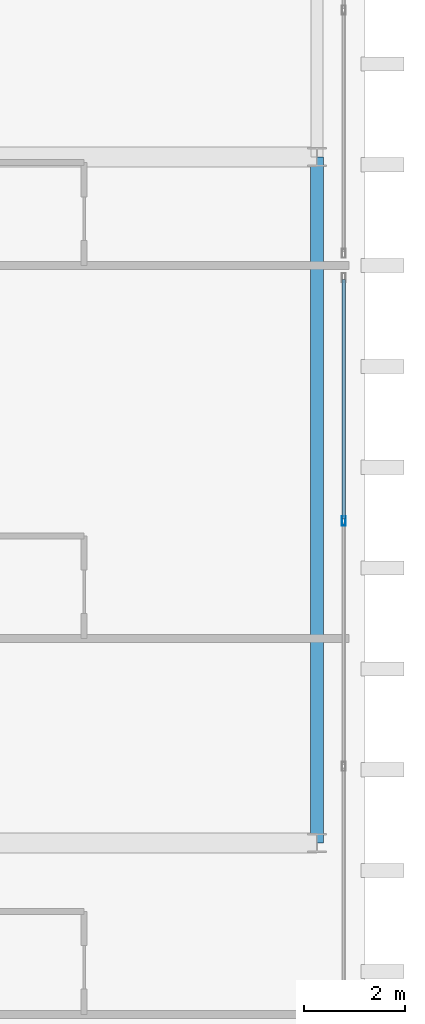
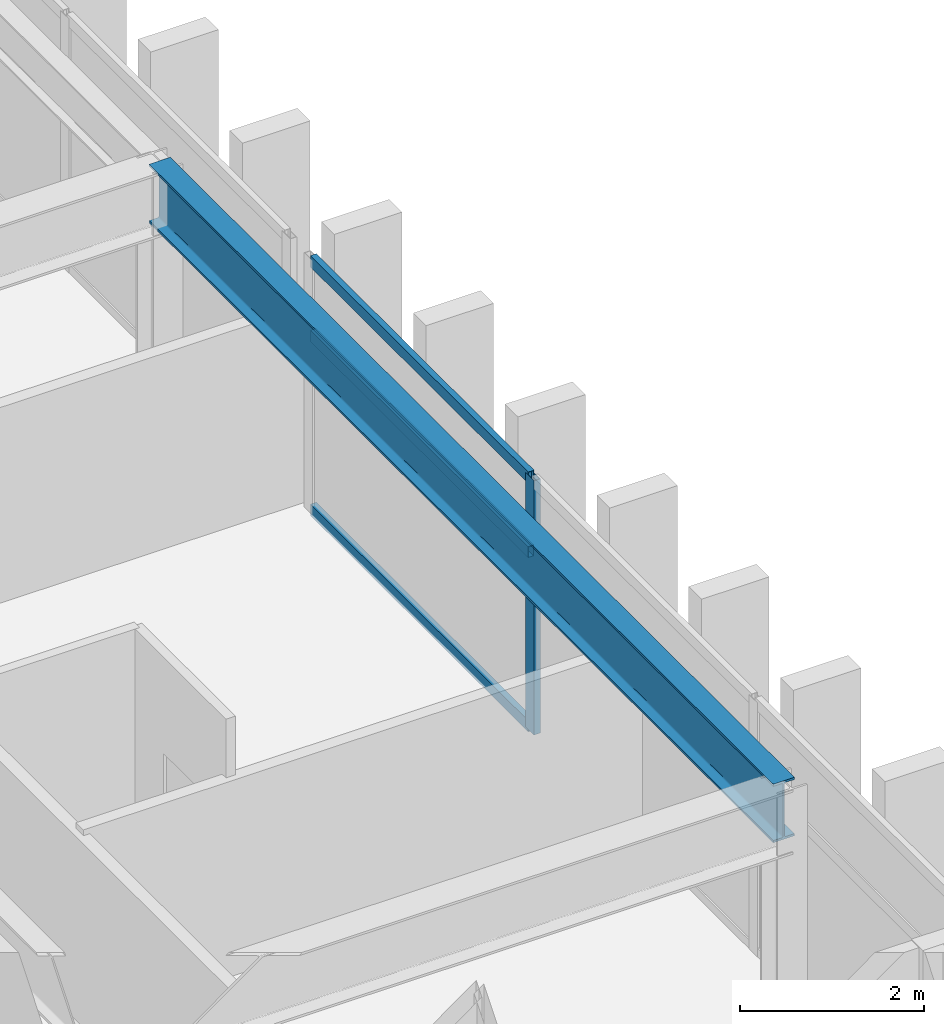
# One storey, part 5 of 15: 4 members, 1 beam, 1 element without a shape of its own.
"""IFC4 building model written with IfcOpenShell, lengths in metres."""

from ifc_helpers import new_model, si_unit, direction, frame, origin, origin_2d, place, context, subcontext, project, spatial, hollow_rectangle, i_section, extrude, source, transform, mapped, material, layer, layer_set, material_profile, profile_set, type_object, element, aggregate, save


model = new_model("IFC4")

# Units and contexts
model_context = context("Model", 3, precision=1e-05, world=origin(), true_north=direction((0.0, 1.0)))
body_context = subcontext(model_context, "Body", "Model", "MODEL_VIEW")
ifc_project = project(units=[si_unit("LENGTHUNIT", "METRE"), si_unit("AREAUNIT", "SQUARE_METRE"), si_unit("VOLUMEUNIT", "CUBIC_METRE"), si_unit("PLANEANGLEUNIT", "RADIAN"), si_unit("MASSUNIT", "GRAM", prefix="KILO")], contexts=[model_context])

# Site, building, storey
site_placement = place(None, origin())
site = spatial("IfcSite", under=ifc_project, at=site_placement, CompositionType="ELEMENT")
building_placement = place(site_placement, origin())
building = spatial("IfcBuilding", under=site, at=building_placement, Name="Ocotamira Hotel", CompositionType="ELEMENT")
storey_placement = place(building_placement, frame((0.0, 0.0, 283.199951171875)))
storey = spatial("IfcBuildingStorey", under=building, at=storey_placement, Name="L72", CompositionType="ELEMENT", Elevation=283.199951171875)

# Beam
ifc_material_1 = material(Name="Steel ASTM A992 Grade 50", Category="steel")
ifc_material_profile_1 = material_profile(ifc_material_1, i_section(OverallWidth=0.26611328125, OverallDepth=0.779052734375, WebThickness=0.0166015625, FlangeThickness=0.030029296875, FilletRadius=0.01806640625, at=origin_2d()), Name="W30X148")
ifc_profile_set_1 = profile_set([ifc_material_profile_1], Name="Steel ASTM A992 Grade 50")
beam_type = type_object("IfcBeamType", Name="BM-GIRD-W30X148", PredefinedType="BEAM", material=ifc_profile_set_1)
shared_shape_1 = source(origin(), body_context, "Body", "SweptSolid", [
    extrude(i_section(OverallWidth=0.26611328125, OverallDepth=0.779052734375, WebThickness=0.0166015625, FlangeThickness=0.030029296875, FilletRadius=0.01806640625, at=origin_2d()), origin(), (0.0, 0.0, 1.0), 13.599853515625),
])
beam_placement = place(storey_placement, frame((32.050048828125, 14.550048828125, 2.990478515625), z_axis=(0.0, 1.0, 0.0), x_axis=(-1.0, 0.0, 0.0)))
element("IfcBeam", 1, at=beam_placement, inside=storey, type_object=beam_type, Name="L72 Beam X32.05 Y14.55-28.15", PredefinedType="BEAM", context=body_context, shape_type="MappedRepresentation", body=[
    mapped(shared_shape_1, transform((0.0, 0.0, 0.0), scale=1.0)),
])

# Curtain wall, members
ifc_material_2 = material(Name="Anodised pale-metal aluminium and solar glass", Category="aluminium")
ifc_layer = layer(ifc_material_2, 0.2099609375)
ifc_layer_set = layer_set([ifc_layer], Name="Anodised pale-metal aluminium and solar glass")
curtain_wall_type = type_object("IfcCurtainWallType", Name="CW-SYS7-PEAK", PredefinedType="NOTDEFINED", material=ifc_layer_set)
curtain_wall_placement = place(storey_placement, origin())
curtain_wall = element("IfcCurtainWall", 2, at=curtain_wall_placement, inside=storey, type_object=curtain_wall_type, Name="L72 Curtain Wall CW-7 CW-L72-E1", PredefinedType="NOTDEFINED")
ifc_material_3 = material(Name="Anodised pale-metal aluminium 6063-T6", Category="aluminium")
ifc_material_profile_2 = material_profile(ifc_material_3, hollow_rectangle(XDim=0.080078125, YDim=0.179931640625, WallThickness=0.006103515625, at=origin_2d()), Name="HSS180X80X6")
ifc_profile_set_2 = profile_set([ifc_material_profile_2], Name="Anodised pale-metal aluminium 6063-T6")
member_type_1 = type_object("IfcMemberType", Name="CWM-180X75", PredefinedType="MULLION", material=ifc_profile_set_2)
shared_shape_2 = source(origin(), body_context, "Body", "SweptSolid", [
    extrude(hollow_rectangle(XDim=0.080078125, YDim=0.179931640625, WallThickness=0.006103515625, at=origin_2d()), origin(), (0.0, 0.0, 1.0), 3.380126953125),
])
member_1_placement = place(storey_placement, frame((32.580078125, 20.933349609375, 0.0), z_axis=(0.0, 0.0, 1.0), x_axis=(-1.0, 0.0, 0.0)))
member_1 = element("IfcMember", 3, at=member_1_placement, type_object=member_type_1, Name="CW-7 mullion 3", PredefinedType="MULLION", context=body_context, shape_type="MappedRepresentation", body=[
    mapped(shared_shape_2, transform((0.0, 0.0, 0.0), scale=1.0)),
])
ifc_material_profile_3 = material_profile(ifc_material_3, hollow_rectangle(XDim=0.074951171875, YDim=0.14990234375, WallThickness=0.006103515625, at=origin_2d()), Name="HSS150X75X6")
ifc_profile_set_3 = profile_set([ifc_material_profile_3], Name="Anodised pale-metal aluminium 6063-T6")
member_type_2 = type_object("IfcMemberType", Name="CWT-150X75", PredefinedType="USERDEFINED", material=ifc_profile_set_3)
shared_shape_3 = source(origin(), body_context, "Body", "SweptSolid", [
    extrude(hollow_rectangle(XDim=0.074951171875, YDim=0.14990234375, WallThickness=0.006103515625, at=origin_2d()), origin(), (0.0, 0.0, 1.0), 4.74658203125),
])
member_2_placement = place(storey_placement, frame((32.580078125, 20.973388671875, 0.03759765625), z_axis=(0.0, 1.0, 0.0), x_axis=(-1.0, 0.0, 0.0)))
member_2 = element("IfcMember", 4, at=member_2_placement, type_object=member_type_2, Name="CW-7 transom 3.1", ObjectType="TRANSOM", PredefinedType="USERDEFINED", context=body_context, shape_type="MappedRepresentation", body=[
    mapped(shared_shape_3, transform((0.0, 0.0, 0.0), scale=1.0)),
])
member_3_placement = place(storey_placement, frame((32.580078125, 20.973388671875, 2.35009765625), z_axis=(0.0, 1.0, 0.0), x_axis=(-1.0, 0.0, 0.0)))
member_3 = element("IfcMember", 5, at=member_3_placement, type_object=member_type_2, Name="CW-7 transom 3.2", ObjectType="TRANSOM", PredefinedType="USERDEFINED", context=body_context, shape_type="MappedRepresentation", body=[
    mapped(shared_shape_3, transform((0.0, 0.0, 0.0), scale=1.0)),
])
member_4_placement = place(storey_placement, frame((32.580078125, 20.973388671875, 3.342529296875), z_axis=(0.0, 1.0, 0.0), x_axis=(-1.0, 0.0, 0.0)))
member_4 = element("IfcMember", 6, at=member_4_placement, type_object=member_type_2, Name="CW-7 transom 3.3", ObjectType="TRANSOM", PredefinedType="USERDEFINED", context=body_context, shape_type="MappedRepresentation", body=[
    mapped(shared_shape_3, transform((0.0, 0.0, 0.0), scale=1.0)),
])
aggregate(curtain_wall, [member_1, member_2, member_3, member_4])

save(model, "model.ifc")
